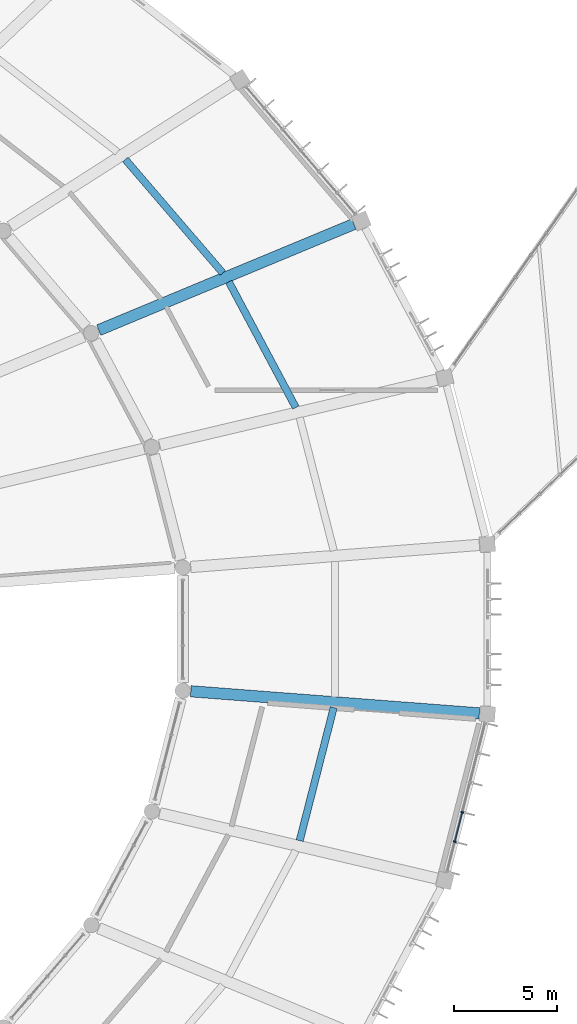
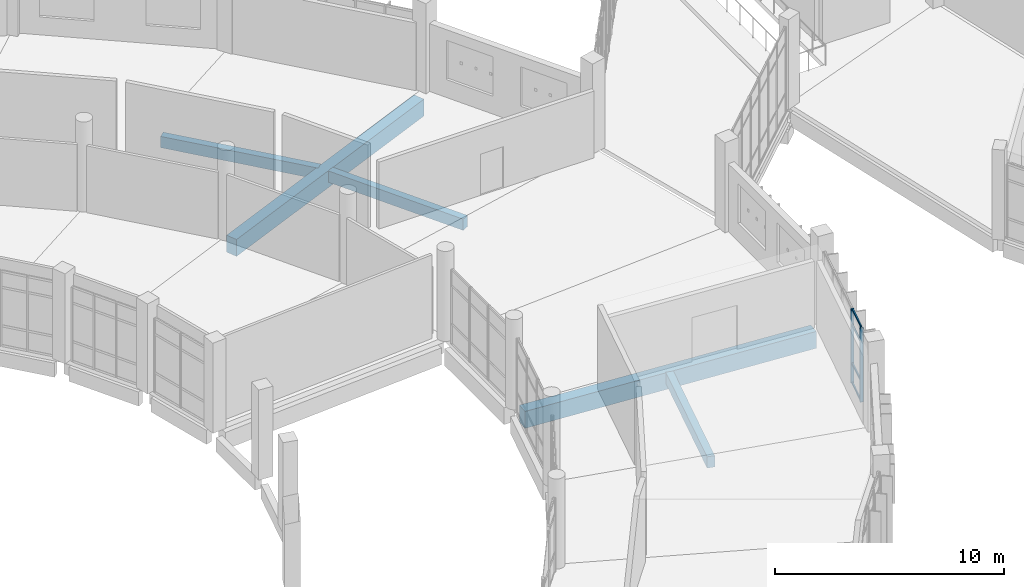
# One storey, part 45 of 179: 6 members, 5 beams, 1 element without a shape of its own.
"""IFC4 building model written with IfcOpenShell, lengths in metres."""

from ifc_helpers import new_model, si_unit, direction, frame, origin, origin_2d, place, context, subcontext, project, spatial, rectangle, extrude, material, layer, layer_set, material_profile, profile_set, type_object, element, aggregate, save


model = new_model("IFC4")

# Units and contexts
model_context = context("Model", 3, precision=1e-05, world=origin(), true_north=direction((0.0, 1.0)))
body_context = subcontext(model_context, "Body", "Model", "MODEL_VIEW")
ifc_project = project(units=[si_unit("LENGTHUNIT", "METRE"), si_unit("AREAUNIT", "SQUARE_METRE"), si_unit("VOLUMEUNIT", "CUBIC_METRE"), si_unit("PLANEANGLEUNIT", "RADIAN"), si_unit("MASSUNIT", "GRAM", prefix="KILO")], contexts=[model_context])

# Site, building, storey
site_placement = place(None, origin())
site = spatial("IfcSite", under=ifc_project, at=site_placement, CompositionType="ELEMENT")
building_placement = place(site_placement, origin())
building = spatial("IfcBuilding", under=site, at=building_placement, Name="Corvandel Quay Wholesale Market", CompositionType="ELEMENT")
storey_placement = place(building_placement, frame((0.0, 0.0, 6.0)))
storey = spatial("IfcBuildingStorey", under=building, at=storey_placement, Name="L01", CompositionType="ELEMENT", Elevation=6.0)

# Curtain wall, members
ifc_material_1 = material(Name="Bronze anodised aluminium and low-E insulated glazing", Category="aluminium")
ifc_layer = layer(ifc_material_1, 0.174072265625)
ifc_layer_set = layer_set([ifc_layer], Name="Bronze anodised aluminium and low-E insulated glazing")
curtain_wall_type = type_object("IfcCurtainWallType", Name="Stick Curtain Wall System CW07 H3630", PredefinedType="NOTDEFINED", material=ifc_layer_set)
curtain_wall_placement = place(storey_placement, origin())
curtain_wall = element("IfcCurtainWall", 1, at=curtain_wall_placement, inside=storey, type_object=curtain_wall_type, Name="Curtain Wall CW-0088", PredefinedType="NOTDEFINED")
ifc_material_2 = material(Name="Anodised aluminium 6063-T6", Category="aluminium")
ifc_material_profile_1 = material_profile(ifc_material_2, rectangle(XDim=0.06494140625, YDim=0.14990234375, at=origin_2d()), Name="ALU-MUL-65x150")
ifc_profile_set_1 = profile_set([ifc_material_profile_1], Name="Anodised aluminium 6063-T6")
member_type_1 = type_object("IfcMemberType", Name="Curtain Wall Mullion ML02 65x150", PredefinedType="MULLION", material=ifc_profile_set_1)
member_1_placement = place(storey_placement, frame((166.406982421875, 31.63330078125, 0.0), z_axis=(0.0, 0.0, 1.0), x_axis=(0.247675453076, 0.968843057437, 0.0)))
member_1 = element("IfcMember", 2, at=member_1_placement, type_object=member_type_1, Name="Mullion CW-0088-M01", PredefinedType="MULLION", context=body_context, shape_type="SweptSolid", body=[
    extrude(rectangle(XDim=0.06494140625, YDim=0.14990234375, at=origin_2d()), origin(), (0.0, 0.0, 1.0), 3.949951171875),
])
member_2_placement = place(storey_placement, frame((166.77734375, 33.081787109375, 0.0), z_axis=(0.0, 0.0, 1.0), x_axis=(0.247675453076, 0.968843057437, 0.0)))
member_2 = element("IfcMember", 3, at=member_2_placement, type_object=member_type_1, Name="Mullion CW-0088-M02", PredefinedType="MULLION", context=body_context, shape_type="SweptSolid", body=[
    extrude(rectangle(XDim=0.06494140625, YDim=0.14990234375, at=origin_2d()), origin(), (0.0, 0.0, 1.0), 3.949951171875),
])
ifc_material_profile_2 = material_profile(ifc_material_2, rectangle(XDim=0.06005859375, YDim=0.110107421875, at=origin_2d()), Name="ALU-TRN-60x110")
ifc_profile_set_2 = profile_set([ifc_material_profile_2], Name="Anodised aluminium 6063-T6")
member_type_2 = type_object("IfcMemberType", Name="Curtain Wall Transom TR02 60x110", PredefinedType="USERDEFINED", material=ifc_profile_set_2)
member_3_placement = place(storey_placement, frame((166.4150390625, 31.664794921875, 0.0), z_axis=(0.24771400443, 0.968833201335, 0.0), x_axis=(-0.968833201335, 0.24771400443, 0.0)))
member_3 = element("IfcMember", 4, at=member_3_placement, type_object=member_type_2, Name="Transom CW-0088-T01-0", ObjectType="TRANSOM", PredefinedType="USERDEFINED", context=body_context, shape_type="SweptSolid", body=[
    extrude(rectangle(XDim=0.06005859375, YDim=0.110107421875, at=origin_2d()), origin(), (0.0, 0.0, 1.0), 1.43017578125),
])
member_4_placement = place(storey_placement, frame((166.4150390625, 31.664794921875, 1.050048828125), z_axis=(0.24771400443, 0.968833201335, 0.0), x_axis=(-0.968833201335, 0.24771400443, 0.0)))
member_4 = element("IfcMember", 5, at=member_4_placement, type_object=member_type_2, Name="Transom CW-0088-T01-1", ObjectType="TRANSOM", PredefinedType="USERDEFINED", context=body_context, shape_type="SweptSolid", body=[
    extrude(rectangle(XDim=0.06005859375, YDim=0.110107421875, at=origin_2d()), origin(), (0.0, 0.0, 1.0), 1.43017578125),
])
member_5_placement = place(storey_placement, frame((166.4150390625, 31.664794921875, 3.10009765625), z_axis=(0.24771400443, 0.968833201335, 0.0), x_axis=(-0.968833201335, 0.24771400443, 0.0)))
member_5 = element("IfcMember", 6, at=member_5_placement, type_object=member_type_2, Name="Transom CW-0088-T01-2", ObjectType="TRANSOM", PredefinedType="USERDEFINED", context=body_context, shape_type="SweptSolid", body=[
    extrude(rectangle(XDim=0.06005859375, YDim=0.110107421875, at=origin_2d()), origin(), (0.0, 0.0, 1.0), 1.43017578125),
])
member_6_placement = place(storey_placement, frame((166.4150390625, 31.664794921875, 3.949951171875), z_axis=(0.24771400443, 0.968833201335, 0.0), x_axis=(-0.968833201335, 0.24771400443, 0.0)))
member_6 = element("IfcMember", 7, at=member_6_placement, type_object=member_type_2, Name="Transom CW-0088-T01-3", ObjectType="TRANSOM", PredefinedType="USERDEFINED", context=body_context, shape_type="SweptSolid", body=[
    extrude(rectangle(XDim=0.06005859375, YDim=0.110107421875, at=origin_2d()), origin(), (0.0, 0.0, 1.0), 1.43017578125),
])
aggregate(curtain_wall, [member_1, member_2, member_3, member_4, member_5, member_6])

# Beams
ifc_material_3 = material(Name="Precast concrete C45/55", Category="concrete")
ifc_material_profile_3 = material_profile(ifc_material_3, rectangle(XDim=0.550048828125, YDim=0.89990234375, at=origin_2d()), Name="PC-GIR-550x900")
ifc_profile_set_3 = profile_set([ifc_material_profile_3], Name="Precast concrete C45/55")
beam_type_1 = type_object("IfcBeamType", Name="Produce Hall Radial Girder G03 550x900", PredefinedType="USERDEFINED", material=ifc_profile_set_3)
beam_1_placement = place(storey_placement, frame((161.4892578125, 61.742431640625, -0.75), z_axis=(-0.923385679265, -0.383873530383, 0.0), x_axis=(0.383873530383, -0.923385679265, 0.0)))
element("IfcBeam", 8, at=beam_1_placement, inside=storey, type_object=beam_type_1, Name="Beam BM-0029", ObjectType="GIRDER", PredefinedType="USERDEFINED", context=body_context, shape_type="SweptSolid", body=[
    extrude(rectangle(XDim=0.550048828125, YDim=0.89990234375, at=origin_2d()), origin(), (0.0, 0.0, 1.0), 13.462158203125),
])
beam_2_placement = place(storey_placement, frame((167.606201171875, 37.893310546875, -0.75), z_axis=(-0.997077960365, 0.076390712484, 0.0), x_axis=(-0.076390712484, -0.997077960365, 0.0)))
element("IfcBeam", 9, at=beam_2_placement, inside=storey, type_object=beam_type_1, Name="Beam BM-0384", ObjectType="GIRDER", PredefinedType="USERDEFINED", context=body_context, shape_type="SweptSolid", body=[
    extrude(rectangle(XDim=0.550048828125, YDim=0.89990234375, at=origin_2d()), origin(), (0.0, 0.0, 1.0), 14.103759765625),
])
ifc_material_profile_4 = material_profile(ifc_material_3, rectangle(XDim=0.35009765625, YDim=0.60009765625, at=origin_2d()), Name="PC-BM-350x600")
ifc_profile_set_4 = profile_set([ifc_material_profile_4], Name="Precast concrete C45/55")
beam_type_2 = type_object("IfcBeamType", Name="Trading Gallery Secondary Beam B02 350x600", PredefinedType="BEAM", material=ifc_profile_set_4)
beam_3_placement = place(storey_placement, frame((158.660400390625, 52.80029296875, -0.60009765625), z_axis=(-0.470076811502, 0.882625510218, 0.0), x_axis=(-0.882625510218, -0.470076811502, 0.0)))
element("IfcBeam", 10, at=beam_3_placement, inside=storey, type_object=beam_type_2, Name="Beam BM-0017", PredefinedType="BEAM", context=body_context, shape_type="SweptSolid", body=[
    extrude(rectangle(XDim=0.35009765625, YDim=0.60009765625, at=origin_2d()), origin(), (0.0, 0.0, 1.0), 6.938720703125),
])
beam_4_placement = place(storey_placement, frame((155.101318359375, 59.359619140625, -0.60009765625), z_axis=(-0.651576847402, 0.758582633554, 0.0), x_axis=(-0.758582633554, -0.651576847402, 0.0)))
element("IfcBeam", 11, at=beam_4_placement, inside=storey, type_object=beam_type_2, Name="Beam BM-0030", PredefinedType="BEAM", context=body_context, shape_type="SweptSolid", body=[
    extrude(rectangle(XDim=0.35009765625, YDim=0.60009765625, at=origin_2d()), origin(), (0.0, 0.0, 1.0), 7.2919921875),
])
beam_5_placement = place(storey_placement, frame((158.8505859375, 31.690185546875, -0.60009765625), z_axis=(0.2477926489, 0.968813089894, 0.0), x_axis=(-0.968813089894, 0.2477926489, 0.0)))
element("IfcBeam", 12, at=beam_5_placement, inside=storey, type_object=beam_type_2, Name="Beam BM-0373", PredefinedType="BEAM", context=body_context, shape_type="SweptSolid", body=[
    extrude(rectangle(XDim=0.35009765625, YDim=0.60009765625, at=origin_2d()), origin(), (0.0, 0.0, 1.0), 6.69384765625),
])

save(model, "model.ifc")
